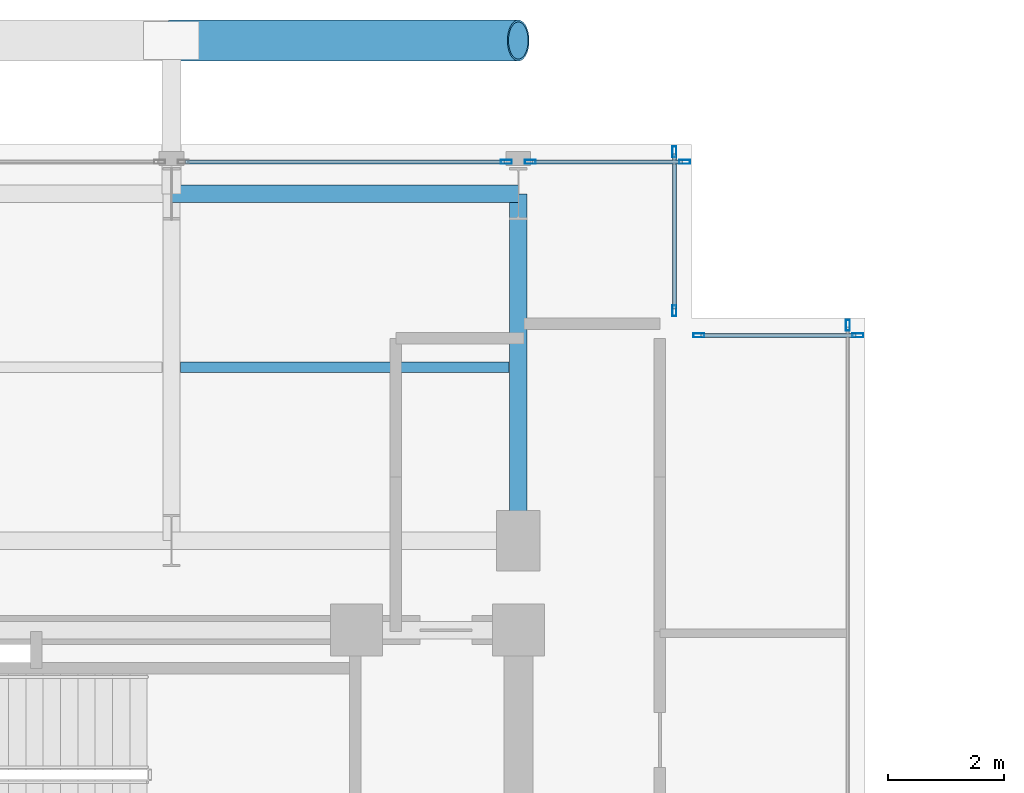
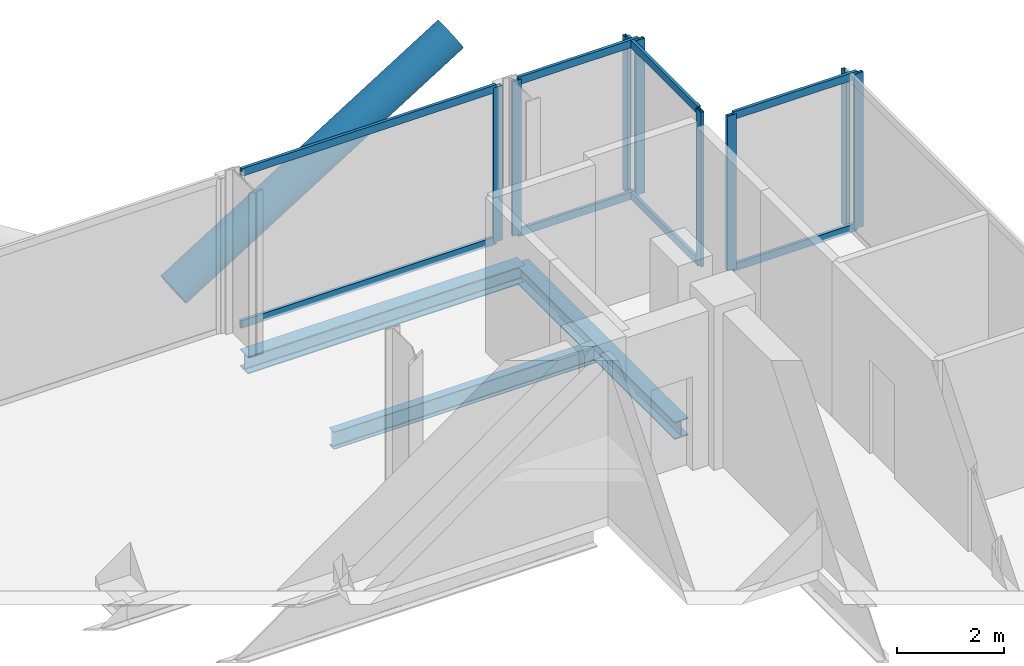
# One storey, part 15 of 25: 17 members, 3 beams, 5 elements without a shape of their own.
"""IFC4 building model written with IfcOpenShell, lengths in metres."""

from ifc_helpers import new_model, si_unit, direction, frame, origin, origin_2d, place, context, subcontext, project, spatial, hollow_rectangle, hollow_circle, i_section, extrude, material, layer, layer_set, material_profile, profile_set, type_object, element, aggregate, save


model = new_model("IFC4")

# Units and contexts
model_context = context("Model", 3, precision=1e-05, world=origin(), true_north=direction((0.0, 1.0)))
body_context = subcontext(model_context, "Body", "Model", "MODEL_VIEW")
ifc_project = project(units=[si_unit("LENGTHUNIT", "METRE"), si_unit("AREAUNIT", "SQUARE_METRE"), si_unit("VOLUMEUNIT", "CUBIC_METRE"), si_unit("PLANEANGLEUNIT", "RADIAN"), si_unit("MASSUNIT", "GRAM", prefix="KILO"), si_unit("THERMODYNAMICTEMPERATUREUNIT", "KELVIN"), si_unit("POWERUNIT", "WATT")], contexts=[model_context])

# Site, building, storey
site_placement = place(None, origin())
site = spatial("IfcSite", under=ifc_project, at=site_placement, CompositionType="ELEMENT")
building_placement = place(site_placement, origin())
building = spatial("IfcBuilding", under=site, at=building_placement, Name="Svarakhadi Broadcast Tower", CompositionType="ELEMENT")
storey_placement = place(building_placement, frame((0.0, 0.0, 216.14990234375)))
storey = spatial("IfcBuildingStorey", under=building, at=storey_placement, Name="L53", CompositionType="ELEMENT", Elevation=216.14990234375)

# Beam
ifc_material_1 = material(Name="Steel S355J2 (IS 2062 E350C)", Category="steel")
ifc_material_profile_1 = material_profile(ifc_material_1, i_section(OverallWidth=0.179931640625, OverallDepth=0.39990234375, WebThickness=0.008544921875, FlangeThickness=0.013427734375, FilletRadius=0.02099609375, at=origin_2d()), Name="NPB 400x180x66")
ifc_profile_set_1 = profile_set([ifc_material_profile_1], Name="Steel S355J2 (IS 2062 E350C)")
beam_type_1 = type_object("IfcBeamType", Name="Beam_NPB400", PredefinedType="BEAM", material=ifc_profile_set_1)
beam_placement = place(storey_placement, frame((12.159912109375, 32.14990234375, -0.409912109375), z_axis=(1.0, 0.0, 0.0), x_axis=(0.0, 1.0, 0.0)))
element("IfcBeam", 1, at=beam_placement, inside=storey, type_object=beam_type_1, Name="L53 Secondary Composite Beam SB012", PredefinedType="BEAM", context=body_context, shape_type="SweptSolid", body=[
    extrude(i_section(OverallWidth=0.179931640625, OverallDepth=0.39990234375, WebThickness=0.008544921875, FlangeThickness=0.013427734375, FilletRadius=0.02099609375, at=origin_2d()), origin(), (0.0, 0.0, 1.0), 5.68017578125),
])

# Curtain wall, member
ifc_material_2 = material(Name="Anodised Bronze Aluminium AA 6063-T6", Category="aluminium")
ifc_layer = layer(ifc_material_2, 0.18994140625)
ifc_layer_set = layer_set([ifc_layer], Name="Anodised Bronze Aluminium AA 6063-T6")
curtain_wall_type = type_object("IfcCurtainWallType", Name="CW_Sys_04", PredefinedType="NOTDEFINED", material=ifc_layer_set)
curtain_wall_1_placement = place(storey_placement, origin())
curtain_wall_1 = element("IfcCurtainWall", 2, at=curtain_wall_1_placement, inside=storey, type_object=curtain_wall_type, Name="L53 Unitised Facade Curtain Wall 06 Bay 2", PredefinedType="NOTDEFINED")
ifc_material_profile_2 = material_profile(ifc_material_2, hollow_rectangle(XDim=0.070068359375, YDim=0.18994140625, WallThickness=0.005615234375, at=origin_2d()), Name="ALU MULLION 190x70x6")
ifc_profile_set_2 = profile_set([ifc_material_profile_2], Name="Anodised Bronze Aluminium AA 6063-T6")
member_type_1 = type_object("IfcMemberType", Name="CW_Sys_04_Mul", PredefinedType="MULLION", material=ifc_profile_set_2)
member_1_placement = place(storey_placement, frame((17.794921875, 35.699951171875, 0.0), z_axis=(0.0, 0.0, 1.0), x_axis=(0.0, 1.0, 0.0)))
member_1 = element("IfcMember", 3, at=member_1_placement, type_object=member_type_1, Name="CW-04 mullion 2", PredefinedType="MULLION", context=body_context, shape_type="SweptSolid", body=[
    extrude(hollow_rectangle(XDim=0.070068359375, YDim=0.18994140625, WallThickness=0.005615234375, at=origin_2d()), origin(), (0.0, 0.0, 1.0), 3.5400390625),
])

# Curtain wall, members
curtain_wall_2_placement = place(storey_placement, origin())
curtain_wall_2 = element("IfcCurtainWall", 4, at=curtain_wall_2_placement, inside=storey, type_object=curtain_wall_type, Name="L53 Unitised Facade Curtain Wall 06 Bay 3", PredefinedType="NOTDEFINED")
member_2_placement = place(storey_placement, frame((18.205078125, 35.699951171875, 0.0), z_axis=(0.0, 0.0, 1.0), x_axis=(0.0, 1.0, 0.0)))
member_2 = element("IfcMember", 5, at=member_2_placement, type_object=member_type_1, Name="CW-04 mullion 1", PredefinedType="MULLION", context=body_context, shape_type="SweptSolid", body=[
    extrude(hollow_rectangle(XDim=0.070068359375, YDim=0.18994140625, WallThickness=0.005615234375, at=origin_2d()), origin(), (0.0, 0.0, 1.0), 3.5400390625),
])
member_3_placement = place(storey_placement, frame((20.875, 35.699951171875, 0.0), z_axis=(0.0, 0.0, 1.0), x_axis=(0.0, 1.0, 0.0)))
member_3 = element("IfcMember", 6, at=member_3_placement, type_object=member_type_1, Name="CW-04 mullion 2", PredefinedType="MULLION", context=body_context, shape_type="SweptSolid", body=[
    extrude(hollow_rectangle(XDim=0.070068359375, YDim=0.18994140625, WallThickness=0.005615234375, at=origin_2d()), origin(), (0.0, 0.0, 1.0), 3.5400390625),
])

curtain_wall_3_placement = place(storey_placement, origin())
curtain_wall_3 = element("IfcCurtainWall", 7, at=curtain_wall_3_placement, inside=storey, type_object=curtain_wall_type, Name="L53 Unitised Facade Curtain Wall 07", PredefinedType="NOTDEFINED")
member_4_placement = place(storey_placement, frame((20.699951171875, 35.875, 0.0), z_axis=(0.0, 0.0, 1.0), x_axis=(1.0, 0.0, 0.0)))
member_4 = element("IfcMember", 8, at=member_4_placement, type_object=member_type_1, Name="CW-04 mullion 1", PredefinedType="MULLION", context=body_context, shape_type="SweptSolid", body=[
    extrude(hollow_rectangle(XDim=0.070068359375, YDim=0.18994140625, WallThickness=0.005615234375, at=origin_2d()), origin(), (0.0, 0.0, 1.0), 3.5400390625),
])
member_5_placement = place(storey_placement, frame((20.699951171875, 33.125, 0.0), z_axis=(0.0, 0.0, 1.0), x_axis=(1.0, 0.0, 0.0)))
member_5 = element("IfcMember", 9, at=member_5_placement, type_object=member_type_1, Name="CW-04 mullion 2", PredefinedType="MULLION", context=body_context, shape_type="SweptSolid", body=[
    extrude(hollow_rectangle(XDim=0.070068359375, YDim=0.18994140625, WallThickness=0.005615234375, at=origin_2d()), origin(), (0.0, 0.0, 1.0), 3.5400390625),
])

curtain_wall_4_placement = place(storey_placement, origin())
curtain_wall_4 = element("IfcCurtainWall", 10, at=curtain_wall_4_placement, inside=storey, type_object=curtain_wall_type, Name="L53 Unitised Facade Curtain Wall 08", PredefinedType="NOTDEFINED")
member_6_placement = place(storey_placement, frame((21.125, 32.699951171875, 0.0), z_axis=(0.0, 0.0, 1.0), x_axis=(0.0, 1.0, 0.0)))
member_6 = element("IfcMember", 11, at=member_6_placement, type_object=member_type_1, Name="CW-04 mullion 1", PredefinedType="MULLION", context=body_context, shape_type="SweptSolid", body=[
    extrude(hollow_rectangle(XDim=0.070068359375, YDim=0.18994140625, WallThickness=0.005615234375, at=origin_2d()), origin(), (0.0, 0.0, 1.0), 3.5400390625),
])
member_7_placement = place(storey_placement, frame((23.875, 32.699951171875, 0.0), z_axis=(0.0, 0.0, 1.0), x_axis=(0.0, 1.0, 0.0)))
member_7 = element("IfcMember", 12, at=member_7_placement, type_object=member_type_1, Name="CW-04 mullion 2", PredefinedType="MULLION", context=body_context, shape_type="SweptSolid", body=[
    extrude(hollow_rectangle(XDim=0.070068359375, YDim=0.18994140625, WallThickness=0.005615234375, at=origin_2d()), origin(), (0.0, 0.0, 1.0), 3.5400390625),
])

# Curtain wall, member
curtain_wall_5_placement = place(storey_placement, origin())
curtain_wall_5 = element("IfcCurtainWall", 13, at=curtain_wall_5_placement, inside=storey, type_object=curtain_wall_type, Name="L53 Unitised Facade Curtain Wall 09", PredefinedType="NOTDEFINED")
member_8_placement = place(storey_placement, frame((23.699951171875, 32.875, 0.0), z_axis=(0.0, 0.0, 1.0), x_axis=(1.0, 0.0, 0.0)))
member_8 = element("IfcMember", 14, at=member_8_placement, type_object=member_type_1, Name="CW-04 mullion 1", PredefinedType="MULLION", context=body_context, shape_type="SweptSolid", body=[
    extrude(hollow_rectangle(XDim=0.070068359375, YDim=0.18994140625, WallThickness=0.005615234375, at=origin_2d()), origin(), (0.0, 0.0, 1.0), 3.5400390625),
])
aggregate(curtain_wall_5, [member_8])

# Member
ifc_material_profile_3 = material_profile(ifc_material_2, hollow_rectangle(XDim=0.06494140625, YDim=0.175048828125, WallThickness=0.0048828125, at=origin_2d()), Name="ALU TRANSOM 175x65x5")
ifc_profile_set_3 = profile_set([ifc_material_profile_3], Name="Anodised Bronze Aluminium AA 6063-T6")
member_type_2 = type_object("IfcMemberType", Name="CW_Sys_04_Trn", PredefinedType="USERDEFINED", material=ifc_profile_set_3)
member_9_placement = place(storey_placement, frame((12.239990234375, 35.699951171875, 0.03271484375), z_axis=(1.0, 0.0, 0.0), x_axis=(0.0, 1.0, 0.0)))
member_9 = element("IfcMember", 15, at=member_9_placement, type_object=member_type_2, Name="CW-04 transom 1.1", ObjectType="TRANSOM", PredefinedType="USERDEFINED", context=body_context, shape_type="SweptSolid", body=[
    extrude(hollow_rectangle(XDim=0.06494140625, YDim=0.175048828125, WallThickness=0.0048828125, at=origin_2d()), origin(), (0.0, 0.0, 1.0), 5.52001953125),
])

member_10_placement = place(storey_placement, frame((12.239990234375, 35.699951171875, 3.507568359375), z_axis=(1.0, 0.0, 0.0), x_axis=(0.0, 1.0, 0.0)))
member_10 = element("IfcMember", 16, at=member_10_placement, type_object=member_type_2, Name="CW-04 transom 1.2", ObjectType="TRANSOM", PredefinedType="USERDEFINED", context=body_context, shape_type="SweptSolid", body=[
    extrude(hollow_rectangle(XDim=0.06494140625, YDim=0.175048828125, WallThickness=0.0048828125, at=origin_2d()), origin(), (0.0, 0.0, 1.0), 5.52001953125),
])

aggregate(curtain_wall_1, [member_1, member_9, member_10])

member_11_placement = place(storey_placement, frame((18.239990234375, 35.699951171875, 0.03271484375), z_axis=(1.0, 0.0, 0.0), x_axis=(0.0, 1.0, 0.0)))
member_11 = element("IfcMember", 17, at=member_11_placement, type_object=member_type_2, Name="CW-04 transom 1.1", ObjectType="TRANSOM", PredefinedType="USERDEFINED", context=body_context, shape_type="SweptSolid", body=[
    extrude(hollow_rectangle(XDim=0.06494140625, YDim=0.175048828125, WallThickness=0.0048828125, at=origin_2d()), origin(), (0.0, 0.0, 1.0), 2.60009765625),
])

member_12_placement = place(storey_placement, frame((18.239990234375, 35.699951171875, 3.507568359375), z_axis=(1.0, 0.0, 0.0), x_axis=(0.0, 1.0, 0.0)))
member_12 = element("IfcMember", 18, at=member_12_placement, type_object=member_type_2, Name="CW-04 transom 1.2", ObjectType="TRANSOM", PredefinedType="USERDEFINED", context=body_context, shape_type="SweptSolid", body=[
    extrude(hollow_rectangle(XDim=0.06494140625, YDim=0.175048828125, WallThickness=0.0048828125, at=origin_2d()), origin(), (0.0, 0.0, 1.0), 2.60009765625),
])

aggregate(curtain_wall_2, [member_2, member_3, member_11, member_12])

member_13_placement = place(storey_placement, frame((20.699951171875, 35.840087890625, 0.03271484375), z_axis=(0.0, -1.0, 0.0), x_axis=(1.0, 0.0, 0.0)))
member_13 = element("IfcMember", 19, at=member_13_placement, type_object=member_type_2, Name="CW-04 transom 1.1", ObjectType="TRANSOM", PredefinedType="USERDEFINED", context=body_context, shape_type="SweptSolid", body=[
    extrude(hollow_rectangle(XDim=0.06494140625, YDim=0.175048828125, WallThickness=0.0048828125, at=origin_2d()), origin(), (0.0, 0.0, 1.0), 2.68017578125),
])

member_14_placement = place(storey_placement, frame((20.699951171875, 35.840087890625, 3.507568359375), z_axis=(0.0, -1.0, 0.0), x_axis=(1.0, 0.0, 0.0)))
member_14 = element("IfcMember", 20, at=member_14_placement, type_object=member_type_2, Name="CW-04 transom 1.2", ObjectType="TRANSOM", PredefinedType="USERDEFINED", context=body_context, shape_type="SweptSolid", body=[
    extrude(hollow_rectangle(XDim=0.06494140625, YDim=0.175048828125, WallThickness=0.0048828125, at=origin_2d()), origin(), (0.0, 0.0, 1.0), 2.68017578125),
])

aggregate(curtain_wall_3, [member_4, member_5, member_13, member_14])

member_15_placement = place(storey_placement, frame((21.159912109375, 32.699951171875, 0.03271484375), z_axis=(1.0, 0.0, 0.0), x_axis=(0.0, 1.0, 0.0)))
member_15 = element("IfcMember", 21, at=member_15_placement, type_object=member_type_2, Name="CW-04 transom 1.1", ObjectType="TRANSOM", PredefinedType="USERDEFINED", context=body_context, shape_type="SweptSolid", body=[
    extrude(hollow_rectangle(XDim=0.06494140625, YDim=0.175048828125, WallThickness=0.0048828125, at=origin_2d()), origin(), (0.0, 0.0, 1.0), 2.68017578125),
])

member_16_placement = place(storey_placement, frame((21.159912109375, 32.699951171875, 3.507568359375), z_axis=(1.0, 0.0, 0.0), x_axis=(0.0, 1.0, 0.0)))
member_16 = element("IfcMember", 22, at=member_16_placement, type_object=member_type_2, Name="CW-04 transom 1.2", ObjectType="TRANSOM", PredefinedType="USERDEFINED", context=body_context, shape_type="SweptSolid", body=[
    extrude(hollow_rectangle(XDim=0.06494140625, YDim=0.175048828125, WallThickness=0.0048828125, at=origin_2d()), origin(), (0.0, 0.0, 1.0), 2.68017578125),
])

aggregate(curtain_wall_4, [member_6, member_7, member_15, member_16])

ifc_material_3 = material(Name="Steel S460ML (IS 2062 E450BR)", Category="steel")
ifc_material_profile_4 = material_profile(ifc_material_3, hollow_circle(Radius=0.35546875, WallThickness=0.034912109375, at=origin_2d()), Name="CHS 711x35")
ifc_profile_set_4 = profile_set([ifc_material_profile_4], Name="Steel S460ML (IS 2062 E450BR)")
member_type_3 = type_object("IfcMemberType", Name="Exo_Brace_CHS711", PredefinedType="BRACE", material=ifc_profile_set_4)
member_17_placement = place(storey_placement, frame((12.0, 37.800048828125, -0.371826171875), z_axis=(0.847998304005, 0.0, 0.529998940003), x_axis=(0.0, 1.0, 0.0)))
element("IfcMember", 23, at=member_17_placement, inside=storey, type_object=member_type_3, Name="L53 Exposed Bronze Exoskeleton Diagonal N09", PredefinedType="BRACE", context=body_context, shape_type="SweptSolid", body=[
    extrude(hollow_circle(Radius=0.35546875, WallThickness=0.034912109375, at=origin_2d()), origin(), (0.0, 0.0, 1.0), 7.075439453125),
])

# Beams
ifc_material_profile_5 = material_profile(ifc_material_1, i_section(OverallWidth=0.300048828125, OverallDepth=0.39990234375, WebThickness=0.013427734375, FlangeThickness=0.02392578125, FilletRadius=0.027099609375, at=origin_2d()), Name="WPB 400x300x155")
ifc_profile_set_5 = profile_set([ifc_material_profile_5], Name="Steel S355J2 (IS 2062 E350C)")
beam_type_2 = type_object("IfcBeamType", Name="Girder_WPB400", PredefinedType="USERDEFINED", material=ifc_profile_set_5)
for number, where, z_axis, x_axis, name in (
    (24, (12.0, 35.14990234375, -0.409912109375), (1.0, 0.0, 0.0), (0.0, 1.0, 0.0), "L53 Primary E-W Girder G032"),
    (25, (18.0, 29.14990234375, -0.409912109375), (0.0, 1.0, 0.0), (-1.0, 0.0, 0.0), "L53 Primary N-S Girder G050"),
):
    element("IfcBeam", number, at=place(storey_placement, frame(where, z_axis=z_axis, x_axis=x_axis)), inside=storey, type_object=beam_type_2, Name=name, ObjectType="GIRDER", PredefinedType="USERDEFINED", context=body_context, shape_type="SweptSolid", body=[
        extrude(i_section(OverallWidth=0.300048828125, OverallDepth=0.39990234375, WebThickness=0.013427734375, FlangeThickness=0.02392578125, FilletRadius=0.027099609375, at=origin_2d()), origin(), (0.0, 0.0, 1.0), 6.0),
    ])

save(model, "model.ifc")
